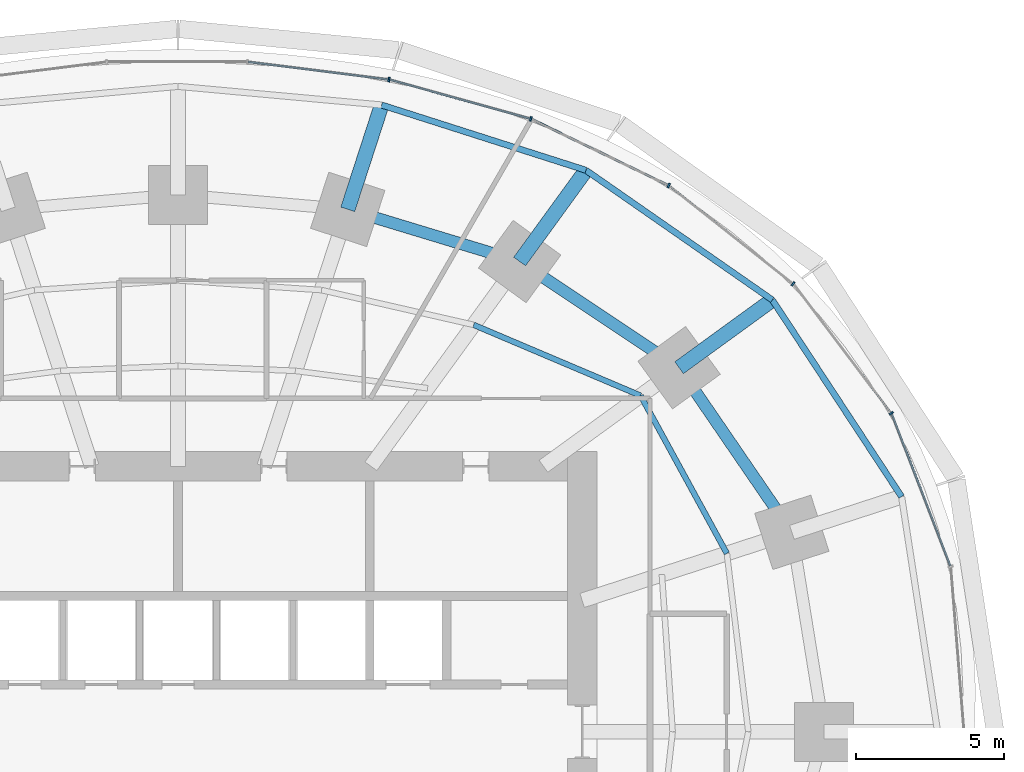
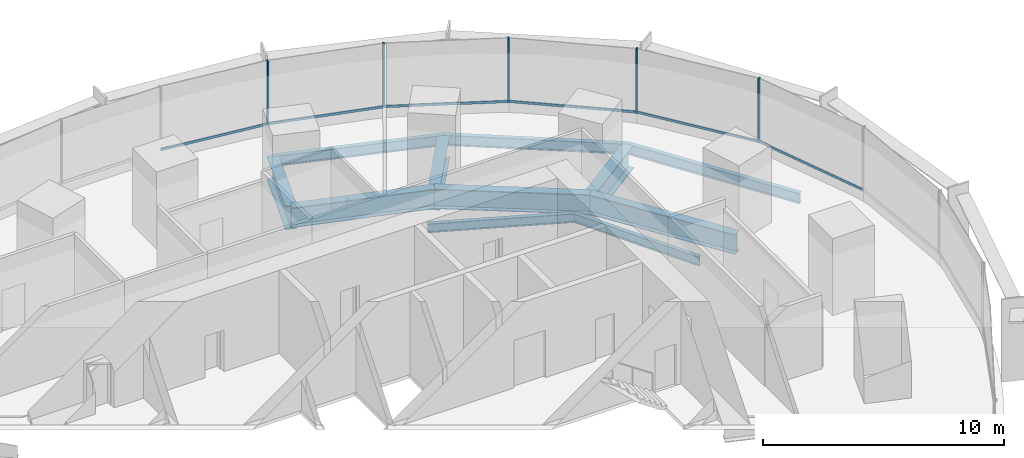
# One storey, part 9 of 15: 11 beams, 11 members, 2 elements without a shape of their own.
"""IFC4 building model written with IfcOpenShell, lengths in metres."""

from ifc_helpers import new_model, si_unit, direction, frame, origin, origin_2d, place, context, subcontext, project, spatial, rectangle, i_section, extrude, material, material_profile, profile_set, type_object, element, aggregate, save


model = new_model("IFC4")

# Units and contexts
model_context = context("Model", 3, precision=1e-05, world=origin(), true_north=direction((0.0, 1.0)))
body_context = subcontext(model_context, "Body", "Model", "MODEL_VIEW")
ifc_project = project(units=[si_unit("LENGTHUNIT", "METRE"), si_unit("AREAUNIT", "SQUARE_METRE"), si_unit("VOLUMEUNIT", "CUBIC_METRE"), si_unit("PLANEANGLEUNIT", "RADIAN"), si_unit("MASSUNIT", "GRAM", prefix="KILO")], contexts=[model_context])

# Site, building, storey
site_placement = place(None, origin())
site = spatial("IfcSite", under=ifc_project, at=site_placement, CompositionType="ELEMENT")
building_placement = place(site_placement, origin())
building = spatial("IfcBuilding", under=site, at=building_placement, Name="Marramba Exchange Tower", CompositionType="ELEMENT")
storey_placement = place(building_placement, frame((0.0, 0.0, 49.0)))
storey = spatial("IfcBuildingStorey", under=building, at=storey_placement, Name="L11", CompositionType="ELEMENT", Elevation=49.0)

# Beams
ifc_material_1 = material(Name="Steel AS/NZS 3679.2 grade 300", Category="steel")
ifc_material_profile_1 = material_profile(ifc_material_1, i_section(OverallWidth=0.5, OverallDepth=1.199951171875, WebThickness=0.01611328125, FlangeThickness=0.0400390625, at=origin_2d()), Name="1200WB455")
ifc_profile_set_1 = profile_set([ifc_material_profile_1], Name="Steel AS/NZS 3679.2 grade 300")
beam_type_1 = type_object("IfcBeamType", Name="Cantilever girder 1200WB455", PredefinedType="BEAM", material=ifc_profile_set_1)
beam_1_placement = place(storey_placement, frame((16.98583984375, 12.3408203125, -0.760009765625), z_axis=(0.808987260856, 0.587826174793, 0.0), x_axis=(-0.587826174793, 0.808987260856, 0.0)))
element("IfcBeam", 1, at=beam_1_placement, inside=storey, type_object=beam_type_1, Name="Cantilever girder L11 TC03", PredefinedType="BEAM", context=body_context, shape_type="SweptSolid", body=[
    extrude(i_section(OverallWidth=0.5, OverallDepth=1.199951171875, WebThickness=0.01611328125, FlangeThickness=0.0400390625, at=origin_2d()), origin(), (0.0, 0.0, 1.0), 3.90771484375),
])
beam_2_placement = place(storey_placement, frame((11.581298828125, 15.9404296875, -0.760009765625), z_axis=(0.587795827483, 0.809009310944, 0.0), x_axis=(-0.809009310944, 0.587795827483, 0.0)))
element("IfcBeam", 2, at=beam_2_placement, inside=storey, type_object=beam_type_1, Name="Cantilever girder L11 TC04", PredefinedType="BEAM", context=body_context, shape_type="SweptSolid", body=[
    extrude(i_section(OverallWidth=0.5, OverallDepth=1.199951171875, WebThickness=0.01611328125, FlangeThickness=0.0400390625, at=origin_2d()), origin(), (0.0, 0.0, 1.0), 3.82421875),
])
beam_3_placement = place(storey_placement, frame((5.75390625, 17.70849609375, -0.760009765625), z_axis=(0.308973290646, 0.951070715387, 0.0), x_axis=(-0.951070715387, 0.308973290646, 0.0)))
element("IfcBeam", 3, at=beam_3_placement, inside=storey, type_object=beam_type_1, Name="Cantilever girder L11 TC05", PredefinedType="BEAM", context=body_context, shape_type="SweptSolid", body=[
    extrude(i_section(OverallWidth=0.5, OverallDepth=1.199951171875, WebThickness=0.01611328125, FlangeThickness=0.0400390625, at=origin_2d()), origin(), (0.0, 0.0, 1.0), 3.72021484375),
])
ifc_material_2 = material(Name="Steel AS/NZS 3679.1 grade 300", Category="steel")
ifc_material_profile_2 = material_profile(ifc_material_2, i_section(OverallWidth=0.18994140625, OverallDepth=0.4541015625, WebThickness=0.008544921875, FlangeThickness=0.0126953125, FilletRadius=0.011474609375, at=origin_2d()), Name="460UB67.1")
ifc_profile_set_2 = profile_set([ifc_material_profile_2], Name="Steel AS/NZS 3679.1 grade 300")
beam_type_2 = type_object("IfcBeamType", Name="Floor joist 460UB67.1", PredefinedType="JOIST", material=ifc_profile_set_2)
beam_4_placement = place(storey_placement, frame((18.60546875, 6.04541015625, -0.386962890625), z_axis=(-0.479584443791, 0.877495732909, 0.0), x_axis=(-0.877495732909, -0.479584443791, 0.0)))
element("IfcBeam", 4, at=beam_4_placement, inside=storey, type_object=beam_type_2, Name="Joist L11 bay 02 row 2", PredefinedType="JOIST", context=body_context, shape_type="SweptSolid", body=[
    extrude(i_section(OverallWidth=0.18994140625, OverallDepth=0.4541015625, WebThickness=0.008544921875, FlangeThickness=0.0126953125, FilletRadius=0.011474609375, at=origin_2d()), origin(), (0.0, 0.0, 1.0), 6.094970703125),
])
beam_5_placement = place(storey_placement, frame((15.682373046875, 11.393798828125, -0.386962890625), z_axis=(-0.920674336375, 0.390331610738, 0.0), x_axis=(-0.390331610738, -0.920674336375, 0.0)))
element("IfcBeam", 5, at=beam_5_placement, inside=storey, type_object=beam_type_2, Name="Joist L11 bay 03 row 2", PredefinedType="JOIST", context=body_context, shape_type="SweptSolid", body=[
    extrude(i_section(OverallWidth=0.18994140625, OverallDepth=0.4541015625, WebThickness=0.008544921875, FlangeThickness=0.0126953125, FilletRadius=0.011474609375, at=origin_2d()), origin(), (0.0, 0.0, 1.0), 6.1484375),
])
ifc_material_profile_3 = material_profile(ifc_material_1, i_section(OverallWidth=0.39990234375, OverallDepth=1.0, WebThickness=0.01611328125, FlangeThickness=0.031982421875, at=origin_2d()), Name="1000WB322")
ifc_profile_set_3 = profile_set([ifc_material_profile_3], Name="Steel AS/NZS 3679.2 grade 300")
beam_type_3 = type_object("IfcBeamType", Name="Ring beam 1000WB322", PredefinedType="SPANDREL", material=ifc_profile_set_3)
beam_6_placement = place(storey_placement, frame((20.808349609375, 6.760986328125, -0.659912109375), z_axis=(-0.56516002054, 0.824981303535, 0.0), x_axis=(-0.824981303535, -0.56516002054, 0.0)))
element("IfcBeam", 6, at=beam_6_placement, inside=storey, type_object=beam_type_3, Name="Ring beam L11 TC02-TC03", PredefinedType="SPANDREL", context=body_context, shape_type="SweptSolid", body=[
    extrude(i_section(OverallWidth=0.39990234375, OverallDepth=1.0, WebThickness=0.01611328125, FlangeThickness=0.031982421875, at=origin_2d()), origin(), (0.0, 0.0, 1.0), 6.763671875),
])
beam_7_placement = place(storey_placement, frame((16.98583984375, 12.3408203125, -0.659912109375), z_axis=(-0.832293151443, 0.554335737673, 0.0), x_axis=(-0.554335737673, -0.832293151443, 0.0)))
element("IfcBeam", 7, at=beam_7_placement, inside=storey, type_object=beam_type_3, Name="Ring beam L11 TC03-TC04", PredefinedType="SPANDREL", context=body_context, shape_type="SweptSolid", body=[
    extrude(i_section(OverallWidth=0.39990234375, OverallDepth=1.0, WebThickness=0.01611328125, FlangeThickness=0.031982421875, at=origin_2d()), origin(), (0.0, 0.0, 1.0), 6.49365234375),
])
beam_8_placement = place(storey_placement, frame((11.581298828125, 15.9404296875, -0.659912109375), z_axis=(-0.956924542524, 0.290336735387, 0.0), x_axis=(-0.290336735387, -0.956924542524, 0.0)))
element("IfcBeam", 8, at=beam_8_placement, inside=storey, type_object=beam_type_3, Name="Ring beam L11 TC04-TC05", PredefinedType="SPANDREL", context=body_context, shape_type="SweptSolid", body=[
    extrude(i_section(OverallWidth=0.39990234375, OverallDepth=1.0, WebThickness=0.01611328125, FlangeThickness=0.031982421875, at=origin_2d()), origin(), (0.0, 0.0, 1.0), 6.089599609375),
])
ifc_material_profile_4 = material_profile(ifc_material_2, i_section(OverallWidth=0.208984375, OverallDepth=0.528076171875, WebThickness=0.009521484375, FlangeThickness=0.01318359375, FilletRadius=0.013916015625, at=origin_2d()), Name="530UB82.0")
ifc_profile_set_4 = profile_set([ifc_material_profile_4], Name="Steel AS/NZS 3679.1 grade 300")
beam_type_4 = type_object("IfcBeamType", Name="Slab edge beam 530UB82.0", PredefinedType="SPANDREL", material=ifc_profile_set_4)
beam_9_placement = place(storey_placement, frame((24.528564453125, 7.9697265625, -0.424072265625), z_axis=(-0.549123544095, 0.835741188001, 0.0), x_axis=(-0.835741188001, -0.549123544095, 0.0)))
element("IfcBeam", 9, at=beam_9_placement, inside=storey, type_object=beam_type_4, Name="Slab edge beam L11 TC02-TC03", PredefinedType="SPANDREL", context=body_context, shape_type="SweptSolid", body=[
    extrude(i_section(OverallWidth=0.208984375, OverallDepth=0.528076171875, WebThickness=0.009521484375, FlangeThickness=0.01318359375, FilletRadius=0.013916015625, at=origin_2d()), origin(), (0.0, 0.0, 1.0), 7.978759765625),
])
beam_10_placement = place(storey_placement, frame((20.147216796875, 14.637939453125, -0.424072265625), z_axis=(-0.820842487183, 0.571154629882, 0.0), x_axis=(-0.571154629882, -0.820842487183, 0.0)))
element("IfcBeam", 10, at=beam_10_placement, inside=storey, type_object=beam_type_4, Name="Slab edge beam L11 TC03-TC04", PredefinedType="SPANDREL", context=body_context, shape_type="SweptSolid", body=[
    extrude(i_section(OverallWidth=0.208984375, OverallDepth=0.528076171875, WebThickness=0.009521484375, FlangeThickness=0.01318359375, FilletRadius=0.013916015625, at=origin_2d()), origin(), (0.0, 0.0, 1.0), 7.697021484375),
])
beam_11_placement = place(storey_placement, frame((13.8291015625, 19.0341796875, -0.424072265625), z_axis=(-0.952577642997, 0.304295635957, 0.0), x_axis=(-0.304295635957, -0.952577642997, 0.0)))
element("IfcBeam", 11, at=beam_11_placement, inside=storey, type_object=beam_type_4, Name="Slab edge beam L11 TC04-TC05", PredefinedType="SPANDREL", context=body_context, shape_type="SweptSolid", body=[
    extrude(i_section(OverallWidth=0.208984375, OverallDepth=0.528076171875, WebThickness=0.009521484375, FlangeThickness=0.01318359375, FilletRadius=0.013916015625, at=origin_2d()), origin(), (0.0, 0.0, 1.0), 7.2705078125),
])

# Curtain wall, members
ifc_material_3 = material(Name="Aluminium framing, bronze anodised", Category="aluminium")
curtain_wall_type = type_object("IfcCurtainWallType", Name="Trading floor ribbon curtain wall", PredefinedType="USERDEFINED", material=ifc_material_3)
curtain_wall_1_placement = place(storey_placement, origin())
curtain_wall_1 = element("IfcCurtainWall", 12, at=curtain_wall_1_placement, inside=storey, type_object=curtain_wall_type, Name="Curtain wall CW3 L11 F01-F05", ObjectType="RIBBON CURTAIN WALL", PredefinedType="USERDEFINED")
ifc_material_4 = material(Name="Aluminium mullion, bronze anodised", Category="aluminium")
ifc_material_profile_5 = material_profile(ifc_material_4, rectangle(XDim=0.159912109375, YDim=0.06005859375, at=origin_2d()), Name="CW3 mullion 60x160")
ifc_profile_set_5 = profile_set([ifc_material_profile_5], Name="Aluminium mullion, bronze anodised")
member_type_1 = type_object("IfcMemberType", Name="Trading floor ribbon curtain wall mullion", PredefinedType="MULLION", material=ifc_profile_set_5)
member_1_placement = place(storey_placement, frame((24.178466796875, 10.796875, 0.800048828125), z_axis=(0.0, 0.0, 1.0), x_axis=(-0.797748922445, -0.602989765036, 0.0)))
member_1 = element("IfcMember", 13, at=member_1_placement, type_object=member_type_1, Name="CW3 mullion 1", PredefinedType="MULLION", context=body_context, shape_type="SweptSolid", body=[
    extrude(rectangle(XDim=0.159912109375, YDim=0.06005859375, at=origin_2d()), origin(), (0.0, 0.0, 1.0), 3.239990234375),
])
member_2_placement = place(storey_placement, frame((20.851806640625, 15.185546875, 0.800048828125), z_axis=(0.0, 0.0, 1.0), x_axis=(-0.620649730166, -0.784087949432, 0.0)))
member_2 = element("IfcMember", 14, at=member_2_placement, type_object=member_type_1, Name="CW3 mullion 1", PredefinedType="MULLION", context=body_context, shape_type="SweptSolid", body=[
    extrude(rectangle(XDim=0.159912109375, YDim=0.06005859375, at=origin_2d()), origin(), (0.0, 0.0, 1.0), 3.239990234375),
])
member_3_placement = place(storey_placement, frame((16.63330078125, 18.516357421875, 0.800048828125), z_axis=(0.0, 0.0, 1.0), x_axis=(-0.43596538664, -0.899963433508, 0.0)))
member_3 = element("IfcMember", 15, at=member_3_placement, type_object=member_type_1, Name="CW3 mullion 1", PredefinedType="MULLION", context=body_context, shape_type="SweptSolid", body=[
    extrude(rectangle(XDim=0.159912109375, YDim=0.06005859375, at=origin_2d()), origin(), (0.0, 0.0, 1.0), 3.239990234375),
])

curtain_wall_2_placement = place(storey_placement, origin())
curtain_wall_2 = element("IfcCurtainWall", 16, at=curtain_wall_2_placement, inside=storey, type_object=curtain_wall_type, Name="Curtain wall CW3 L11 F06-F10", ObjectType="RIBBON CURTAIN WALL", PredefinedType="USERDEFINED")
member_4_placement = place(storey_placement, frame((11.96044921875, 20.774169921875, 0.800048828125), z_axis=(0.0, 0.0, 1.0), x_axis=(-0.267808735815, -0.963472096649, 0.0)))
member_4 = element("IfcMember", 17, at=member_4_placement, type_object=member_type_1, Name="CW3 mullion 1", PredefinedType="MULLION", context=body_context, shape_type="SweptSolid", body=[
    extrude(rectangle(XDim=0.159912109375, YDim=0.06005859375, at=origin_2d()), origin(), (0.0, 0.0, 1.0), 3.239990234375),
])
member_5_placement = place(storey_placement, frame((7.15185546875, 22.106201171875, 0.800048828125), z_axis=(0.0, 0.0, 1.0), x_axis=(-0.124872723099, -0.992172768738, 0.0)))
member_5 = element("IfcMember", 18, at=member_5_placement, type_object=member_type_1, Name="CW3 mullion 1", PredefinedType="MULLION", context=body_context, shape_type="SweptSolid", body=[
    extrude(rectangle(XDim=0.159912109375, YDim=0.06005859375, at=origin_2d()), origin(), (0.0, 0.0, 1.0), 3.239990234375),
])

# Member
ifc_material_5 = material(Name="Aluminium transom, bronze anodised", Category="aluminium")
ifc_material_profile_6 = material_profile(ifc_material_5, rectangle(XDim=0.06005859375, YDim=0.1201171875, at=origin_2d()), Name="CW3 transom 60x120")
ifc_profile_set_6 = profile_set([ifc_material_profile_6], Name="Aluminium transom, bronze anodised")
member_type_2 = type_object("IfcMemberType", Name="Trading floor ribbon curtain wall transom", PredefinedType="USERDEFINED", material=ifc_profile_set_6)
member_6_placement = place(storey_placement, frame((26.179931640625, 5.625244140625, 0.830078125), z_axis=(-0.359533581349, 0.933132147063, 0.0), x_axis=(-0.933132147063, -0.359533581349, 0.0)))
member_6 = element("IfcMember", 19, at=member_6_placement, type_object=member_type_2, Name="CW3 sill transom", ObjectType="TRANSOM", PredefinedType="USERDEFINED", context=body_context, shape_type="SweptSolid", body=[
    extrude(rectangle(XDim=0.06005859375, YDim=0.1201171875, at=origin_2d()), origin(), (0.0, 0.0, 1.0), 5.5166015625),
])

member_7_placement = place(storey_placement, frame((24.160400390625, 10.82080078125, 0.830078125), z_axis=(-0.602985866158, 0.797751869452, 0.0), x_axis=(-0.797751869452, -0.602985866158, 0.0)))
member_7 = element("IfcMember", 20, at=member_7_placement, type_object=member_type_2, Name="CW3 sill transom", ObjectType="TRANSOM", PredefinedType="USERDEFINED", context=body_context, shape_type="SweptSolid", body=[
    extrude(rectangle(XDim=0.06005859375, YDim=0.1201171875, at=origin_2d()), origin(), (0.0, 0.0, 1.0), 5.44775390625),
])

member_8_placement = place(storey_placement, frame((20.828369140625, 15.2041015625, 0.830078125), z_axis=(-0.784097975735, 0.620637063385, 0.0), x_axis=(-0.620637063385, -0.784097975735, 0.0)))
member_8 = element("IfcMember", 21, at=member_8_placement, type_object=member_type_2, Name="CW3 sill transom", ObjectType="TRANSOM", PredefinedType="USERDEFINED", context=body_context, shape_type="SweptSolid", body=[
    extrude(rectangle(XDim=0.06005859375, YDim=0.1201171875, at=origin_2d()), origin(), (0.0, 0.0, 1.0), 5.315673828125),
])

member_9_placement = place(storey_placement, frame((16.6064453125, 18.529296875, 0.830078125), z_axis=(-0.89995331781, 0.43598626786, 0.0), x_axis=(-0.43598626786, -0.89995331781, 0.0)))
member_9 = element("IfcMember", 22, at=member_9_placement, type_object=member_type_2, Name="CW3 sill transom", ObjectType="TRANSOM", PredefinedType="USERDEFINED", context=body_context, shape_type="SweptSolid", body=[
    extrude(rectangle(XDim=0.06005859375, YDim=0.1201171875, at=origin_2d()), origin(), (0.0, 0.0, 1.0), 5.13037109375),
])

aggregate(curtain_wall_1, [member_6, member_1, member_7, member_2, member_8, member_3, member_9])

member_10_placement = place(storey_placement, frame((11.931396484375, 20.7822265625, 0.830078125), z_axis=(-0.963468938163, 0.267820098565, 0.0), x_axis=(-0.267820098565, -0.963468938163, 0.0)))
member_10 = element("IfcMember", 23, at=member_10_placement, type_object=member_type_2, Name="CW3 sill transom", ObjectType="TRANSOM", PredefinedType="USERDEFINED", context=body_context, shape_type="SweptSolid", body=[
    extrude(rectangle(XDim=0.06005859375, YDim=0.1201171875, at=origin_2d()), origin(), (0.0, 0.0, 1.0), 4.929931640625),
])

member_11_placement = place(storey_placement, frame((7.1220703125, 22.10986328125, 0.830078125), z_axis=(-0.99216810728, 0.124909755012, 0.0), x_axis=(-0.124909755012, -0.99216810728, 0.0)))
member_11 = element("IfcMember", 24, at=member_11_placement, type_object=member_type_2, Name="CW3 sill transom", ObjectType="TRANSOM", PredefinedType="USERDEFINED", context=body_context, shape_type="SweptSolid", body=[
    extrude(rectangle(XDim=0.06005859375, YDim=0.1201171875, at=origin_2d()), origin(), (0.0, 0.0, 1.0), 4.77294921875),
])

aggregate(curtain_wall_2, [member_4, member_10, member_5, member_11])

save(model, "model.ifc")
